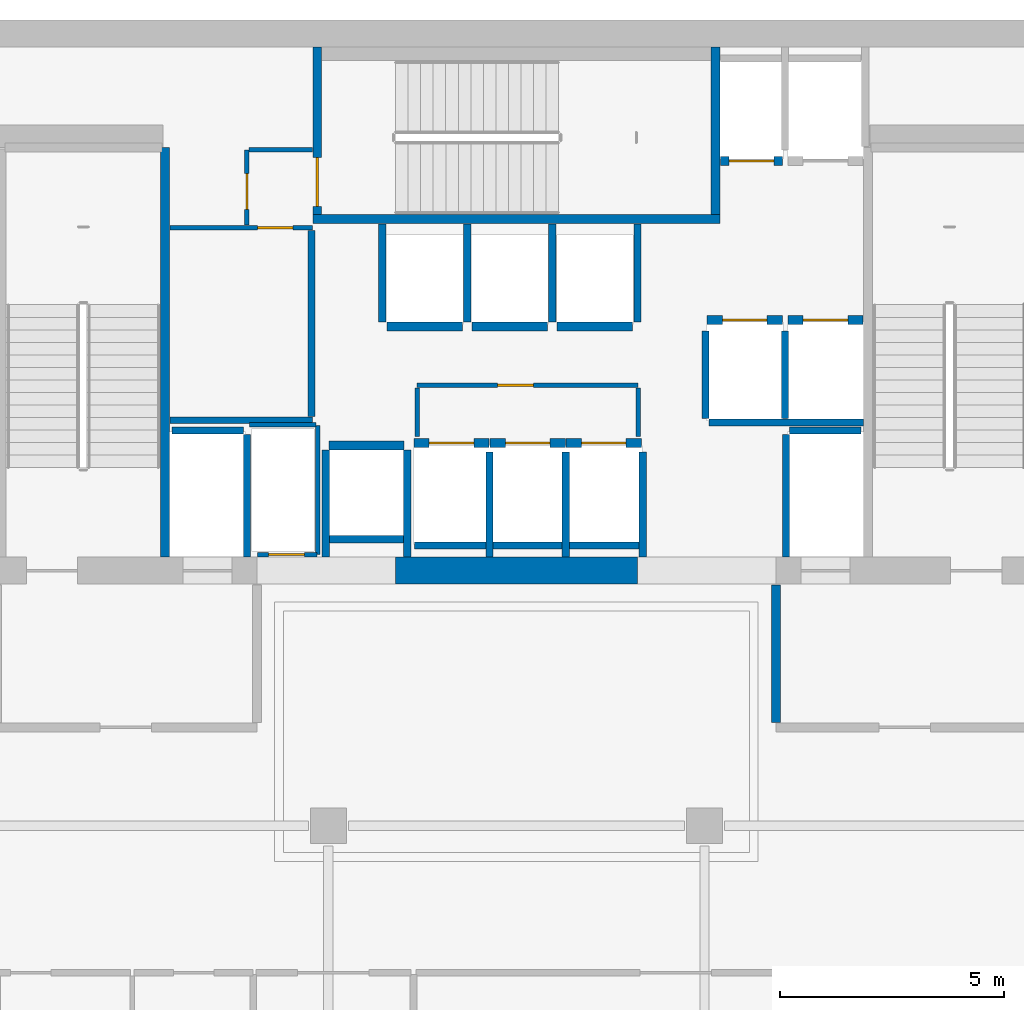
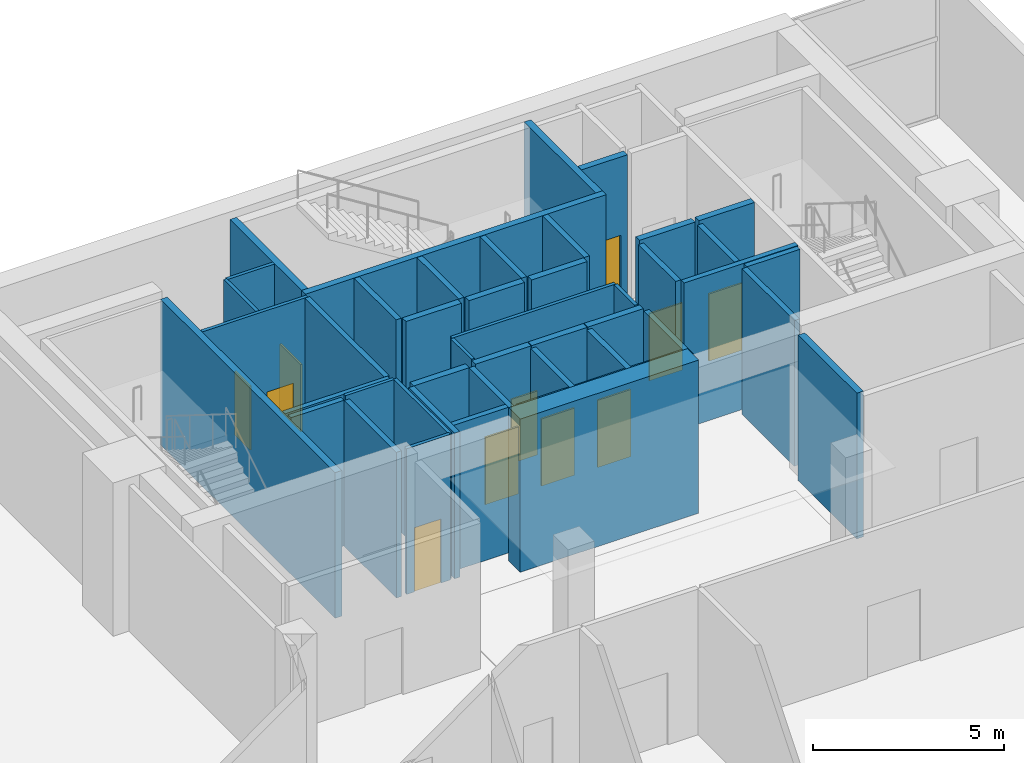
# One storey, part 23 of 28: 45 walls, 11 doors, 11 openings.
"""IFC4 building model written with IfcOpenShell, lengths in metres."""

from ifc_helpers import new_model, si_unit, direction, frame, frame_2d, origin, place, context, subcontext, project, spatial, rectangle, extrude, material, layer, layer_set, type_object, element, fill, save


model = new_model("IFC4")

# Units and contexts
model_context = context("Model", 3, precision=1e-05, world=origin(), true_north=direction((0.0, 1.0)))
body_context = subcontext(model_context, "Body", "Model", "MODEL_VIEW")
ifc_project = project(units=[si_unit("LENGTHUNIT", "METRE"), si_unit("AREAUNIT", "SQUARE_METRE"), si_unit("VOLUMEUNIT", "CUBIC_METRE"), si_unit("PLANEANGLEUNIT", "RADIAN"), si_unit("MASSUNIT", "GRAM", prefix="KILO")], contexts=[model_context])

# Site, building, storey
site_placement = place(None, origin())
site = spatial("IfcSite", under=ifc_project, at=site_placement, CompositionType="ELEMENT")
building_placement = place(site_placement, origin())
building = spatial("IfcBuilding", under=site, at=building_placement, Name="Maruvema Waterfront Hotel and Observation Tower", CompositionType="ELEMENT")
storey_placement = place(building_placement, frame((0.0, 0.0, 234.5)))
storey = spatial("IfcBuildingStorey", under=building, at=storey_placement, Name="L57", CompositionType="ELEMENT", Elevation=234.5)

# Walls
ifc_material_1 = material(Name="Twin-stud acoustic gypsum drywall", Category="gypsum")
ifc_layer_1 = layer(ifc_material_1, 0.14990234375, Name="Acoustic Corridor and Suite Demising Wall 150 mm")
ifc_layer_set_1 = layer_set([ifc_layer_1], Name="Twin-stud acoustic gypsum drywall")
wall_type_1 = type_object("IfcWallType", Name="Acoustic Corridor and Suite Demising Wall 150 mm", PredefinedType="PARTITIONING", material=ifc_layer_set_1)
wall_1_placement = place(storey_placement, frame((30.06005859375, 45.06005859375, 0.0), z_axis=(0.0, 0.0, 1.0), x_axis=(1.0, 0.0, 0.0)))
element("IfcWall", 1, at=wall_1_placement, inside=storey, type_object=wall_type_1, Name="L57 Freed B1 South Wall 013", PredefinedType="PARTITIONING", context=body_context, shape_type="SweptSolid", body=[
    extrude(rectangle(XDim=3.179931640625, YDim=0.14990234375, at=frame_2d((1.58984375, 0.0))), origin(), (0.0, 0.0, 1.0), 4.659912109375),
])
wall_2_placement = place(storey_placement, frame((33.219970703125, 45.139892578125, 0.0), z_axis=(0.0, 0.0, 1.0), x_axis=(0.0, 1.0, 0.0)))
element("IfcWall", 2, at=wall_2_placement, inside=storey, type_object=wall_type_1, Name="L57 Freed B1 East Wall 014", PredefinedType="PARTITIONING", context=body_context, shape_type="SweptSolid", body=[
    extrude(rectangle(XDim=4.16015625, YDim=0.14990234375, at=frame_2d((2.080078125, 0.0))), origin(), (0.0, 0.0, 1.0), 4.659912109375),
])
ifc_material_2 = material(Name="Precast concrete C45/55", Category="concrete")
ifc_layer_2 = layer(ifc_material_2, 0.199951171875, Name="Core Shaft and Stairwell Enclosure Wall 200 mm")
ifc_layer_set_2 = layer_set([ifc_layer_2], Name="Precast concrete C45/55")
wall_type_2 = type_object("IfcWallType", Name="Core Shaft and Stairwell Enclosure Wall 200 mm", PredefinedType="SOLIDWALL", material=ifc_layer_set_2)
wall_3_placement = place(storey_placement, frame((29.949951171875, 42.0, 0.0), z_axis=(0.0, 0.0, 1.0), x_axis=(0.0, 1.0, 0.0)))
element("IfcWall", 3, at=wall_3_placement, inside=storey, type_object=wall_type_2, Name="L57 Stairwell ST-01 East Shaft Wall", PredefinedType="SOLIDWALL", context=body_context, shape_type="SweptSolid", body=[
    extrude(rectangle(XDim=9.14990234375, YDim=0.199951171875, at=frame_2d((4.574951171875, 0.0))), origin(), (0.0, 0.0, 1.0), 4.659912109375),
])
wall_4_placement = place(storey_placement, frame((33.25, 49.550048828125, 0.0), z_axis=(0.0, 0.0, 1.0), x_axis=(1.0, 0.0, 0.0)))
element("IfcWall", 4, at=wall_4_placement, inside=storey, type_object=wall_type_2, Name="L57 Stairwell ST-02 Shaft Wall", PredefinedType="SOLIDWALL", context=body_context, shape_type="SweptSolid", body=[
    extrude(rectangle(XDim=9.10009765625, YDim=0.199951171875, at=frame_2d((4.550048828125, 0.0))), origin(), (0.0, 0.0, 1.0), 4.659912109375),
])
wall_5_placement = place(storey_placement, frame((42.25, 49.64990234375, 0.0), z_axis=(0.0, 0.0, 1.0), x_axis=(0.0, 1.0, 0.0)))
element("IfcWall", 5, at=wall_5_placement, inside=storey, type_object=wall_type_2, Name="L57 Stairwell ST-02 Shaft Wall", PredefinedType="SOLIDWALL", context=body_context, shape_type="SweptSolid", body=[
    extrude(rectangle(XDim=3.75, YDim=0.199951171875, at=frame_2d((1.875, 0.0))), origin(), (0.0, 0.0, 1.0), 4.659912109375),
])

# Wall, opening, door
wall_6_placement = place(storey_placement, frame((33.35009765625, 49.64990234375, 0.0), z_axis=(0.0, 0.0, 1.0), x_axis=(0.0, 1.0, 0.0)))
wall_6 = element("IfcWall", 6, at=wall_6_placement, inside=storey, type_object=wall_type_2, Name="L57 Stairwell ST-02 Shaft Wall", PredefinedType="SOLIDWALL", context=body_context, shape_type="SweptSolid", body=[
    extrude(rectangle(XDim=3.75, YDim=0.199951171875, at=frame_2d((1.875, 0.0))), origin(), (0.0, 0.0, 1.0), 4.659912109375),
])
opening_1_placement = place(wall_6_placement, frame((0.179931640625, 0.0, 0.0)))
opening_1 = element("IfcOpeningElement", 7, at=opening_1_placement, cuts=wall_6, Name="Opening SD-02", PredefinedType="OPENING", context=body_context, shape_type="SweptSolid", body=[
    extrude(rectangle(XDim=1.10009765625, YDim=2.14990234375, at=frame_2d((0.550048828125, 1.074951171875))), frame((0.0, 0.10986328125, 0.0), z_axis=(0.0, -1.0, 0.0), x_axis=(1.0, 0.0, 0.0)), (0.0, 0.0, 1.0), 0.219970703125),
])
ifc_material_3 = material(Name="Fire-rated galvanised steel leaf", Category="steel")
door_type_1 = type_object("IfcDoorType", Name="Central Exit Stair Fire Door 1100x2150 mm", OperationType="NOTDEFINED", PredefinedType="DOOR", material=ifc_material_3)
door_1_placement = place(opening_1_placement, frame((1.10009765625, 0.0, 0.0), z_axis=(0.0, 0.0, 1.0), x_axis=(-1.0, 0.0, 0.0)))
door_1 = element("IfcDoor", 8, at=door_1_placement, inside=storey, type_object=door_type_1, Name="L57 Exit Stair ST-02 Fire Door", OperationType="SINGLE_SWING_LEFT", OverallHeight=2.14990234375, OverallWidth=1.10009765625, PredefinedType="DOOR", context=body_context, shape_type="SweptSolid", body=[
    extrude(rectangle(XDim=1.10009765625, YDim=2.14990234375, at=frame_2d((0.550048828125, 1.074951171875))), frame((0.0, 0.02490234375, 0.0), z_axis=(0.0, -1.0, 0.0), x_axis=(1.0, 0.0, 0.0)), (0.0, 0.0, 1.0), 0.050048828125),
])
fill(opening_1, door_1)

wall_7_placement = place(storey_placement, frame((42.06005859375, 47.300048828125, 0.0), z_axis=(0.0, 0.0, 1.0), x_axis=(1.0, 0.0, 0.0)))
wall_7 = element("IfcWall", 9, at=wall_7_placement, inside=storey, type_object=wall_type_2, Name="L57 Lift LF-05 Hoistway Front Wall", PredefinedType="SOLIDWALL", context=body_context, shape_type="SweptSolid", body=[
    extrude(rectangle(XDim=1.679931640625, YDim=0.199951171875, at=frame_2d((0.83984375, 0.0))), origin(), (0.0, 0.0, 1.0), 4.659912109375),
])
opening_2_placement = place(wall_7_placement, frame((0.340087890625, 0.0, 0.0)))
opening_2 = element("IfcOpeningElement", 10, at=opening_2_placement, cuts=wall_7, Name="Opening LD-01", PredefinedType="OPENING", context=body_context, shape_type="SweptSolid", body=[
    extrude(rectangle(XDim=1.0, YDim=2.14990234375, at=frame_2d((0.5, 1.074951171875))), frame((0.0, 0.10986328125, 0.0), z_axis=(0.0, -1.0, 0.0), x_axis=(1.0, 0.0, 0.0)), (0.0, 0.0, 1.0), 0.219970703125),
])
ifc_material_4 = material(Name="Brushed stainless steel Grade 316", Category="steel")
door_type_2 = type_object("IfcDoorType", Name="Passenger Lift Sliding Landing Door 1000x2150 mm", OperationType="SLIDING_TO_LEFT", PredefinedType="DOOR", material=ifc_material_4)
door_2_placement = place(opening_2_placement, origin())
door_2 = element("IfcDoor", 11, at=door_2_placement, inside=storey, type_object=door_type_2, Name="L57 Lift LF-05 Sliding Landing Door", OperationType="SLIDING_TO_LEFT", OverallHeight=2.14990234375, OverallWidth=1.0, PredefinedType="DOOR", context=body_context, shape_type="SweptSolid", body=[
    extrude(rectangle(XDim=1.0, YDim=2.14990234375, at=frame_2d((0.5, 1.074951171875))), frame((0.0, 0.02490234375, 0.0), z_axis=(0.0, -1.0, 0.0), x_axis=(1.0, 0.0, 0.0)), (0.0, 0.0, 1.0), 0.050048828125),
])
fill(opening_2, door_2)

wall_8_placement = place(storey_placement, frame((43.860107421875, 47.300048828125, 0.0), z_axis=(0.0, 0.0, 1.0), x_axis=(1.0, 0.0, 0.0)))
wall_8 = element("IfcWall", 12, at=wall_8_placement, inside=storey, type_object=wall_type_2, Name="L57 Lift LF-06 Hoistway Front Wall", PredefinedType="SOLIDWALL", context=body_context, shape_type="SweptSolid", body=[
    extrude(rectangle(XDim=1.679931640625, YDim=0.199951171875, at=frame_2d((0.83984375, 0.0))), origin(), (0.0, 0.0, 1.0), 4.659912109375),
])
opening_3_placement = place(wall_8_placement, frame((0.340087890625, 0.0, 0.0)))
opening_3 = element("IfcOpeningElement", 13, at=opening_3_placement, cuts=wall_8, Name="Opening LD-01", PredefinedType="OPENING", context=body_context, shape_type="SweptSolid", body=[
    extrude(rectangle(XDim=1.0, YDim=2.14990234375, at=frame_2d((0.5, 1.074951171875))), frame((0.0, 0.10986328125, 0.0), z_axis=(0.0, -1.0, 0.0), x_axis=(1.0, 0.0, 0.0)), (0.0, 0.0, 1.0), 0.219970703125),
])
door_3_placement = place(opening_3_placement, origin())
door_3 = element("IfcDoor", 14, at=door_3_placement, inside=storey, type_object=door_type_2, Name="L57 Lift LF-06 Sliding Landing Door", OperationType="SLIDING_TO_LEFT", OverallHeight=2.14990234375, OverallWidth=1.0, PredefinedType="DOOR", context=body_context, shape_type="SweptSolid", body=[
    extrude(rectangle(XDim=1.0, YDim=2.14990234375, at=frame_2d((0.5, 1.074951171875))), frame((0.0, 0.02490234375, 0.0), z_axis=(0.0, -1.0, 0.0), x_axis=(1.0, 0.0, 0.0)), (0.0, 0.0, 1.0), 0.050048828125),
])
fill(opening_3, door_3)

wall_9_placement = place(storey_placement, frame((42.360107421875, 50.85009765625, 0.0), z_axis=(0.0, 0.0, 1.0), x_axis=(1.0, 0.0, 0.0)))
wall_9 = element("IfcWall", 15, at=wall_9_placement, inside=storey, type_object=wall_type_2, Name="L57 Lift LF-07 Hoistway Front Wall", PredefinedType="SOLIDWALL", context=body_context, shape_type="SweptSolid", body=[
    extrude(rectangle(XDim=1.3798828125, YDim=0.199951171875, at=frame_2d((0.68994140625, 0.0))), origin(), (0.0, 0.0, 1.0), 4.659912109375),
])
opening_4_placement = place(wall_9_placement, frame((0.18994140625, 0.0, 0.0)))
opening_4 = element("IfcOpeningElement", 16, at=opening_4_placement, cuts=wall_9, Name="Opening LD-01", PredefinedType="OPENING", context=body_context, shape_type="SweptSolid", body=[
    extrude(rectangle(XDim=1.0, YDim=2.14990234375, at=frame_2d((0.5, 1.074951171875))), frame((0.0, 0.10986328125, 0.0), z_axis=(0.0, -1.0, 0.0), x_axis=(1.0, 0.0, 0.0)), (0.0, 0.0, 1.0), 0.219970703125),
])
door_4_placement = place(opening_4_placement, frame((1.0, 0.0, 0.0), z_axis=(0.0, 0.0, 1.0), x_axis=(-1.0, 0.0, 0.0)))
door_4 = element("IfcDoor", 17, at=door_4_placement, inside=storey, type_object=door_type_2, Name="L57 Lift LF-07 Sliding Landing Door", OperationType="SLIDING_TO_LEFT", OverallHeight=2.14990234375, OverallWidth=1.0, PredefinedType="DOOR", context=body_context, shape_type="SweptSolid", body=[
    extrude(rectangle(XDim=1.0, YDim=2.14990234375, at=frame_2d((0.5, 1.074951171875))), frame((0.0, 0.02490234375, 0.0), z_axis=(0.0, -1.0, 0.0), x_axis=(1.0, 0.0, 0.0)), (0.0, 0.0, 1.0), 0.050048828125),
])
fill(opening_4, door_4)

wall_10_placement = place(storey_placement, frame((35.510009765625, 44.550048828125, 0.0), z_axis=(0.0, 0.0, 1.0), x_axis=(1.0, 0.0, 0.0)))
wall_10 = element("IfcWall", 18, at=wall_10_placement, inside=storey, type_object=wall_type_2, Name="L57 Lift LF-09 Hoistway Front Wall", PredefinedType="SOLIDWALL", context=body_context, shape_type="SweptSolid", body=[
    extrude(rectangle(XDim=1.679931640625, YDim=0.199951171875, at=frame_2d((0.83984375, 0.0))), origin(), (0.0, 0.0, 1.0), 4.659912109375),
])
opening_5_placement = place(wall_10_placement, frame((0.340087890625, 0.0, 0.0)))
opening_5 = element("IfcOpeningElement", 19, at=opening_5_placement, cuts=wall_10, Name="Opening LD-01", PredefinedType="OPENING", context=body_context, shape_type="SweptSolid", body=[
    extrude(rectangle(XDim=1.0, YDim=2.14990234375, at=frame_2d((0.5, 1.074951171875))), frame((0.0, 0.10986328125, 0.0), z_axis=(0.0, -1.0, 0.0), x_axis=(1.0, 0.0, 0.0)), (0.0, 0.0, 1.0), 0.219970703125),
])
door_5_placement = place(opening_5_placement, origin())
door_5 = element("IfcDoor", 20, at=door_5_placement, inside=storey, type_object=door_type_2, Name="L57 Lift LF-09 Sliding Landing Door", OperationType="SLIDING_TO_LEFT", OverallHeight=2.14990234375, OverallWidth=1.0, PredefinedType="DOOR", context=body_context, shape_type="SweptSolid", body=[
    extrude(rectangle(XDim=1.0, YDim=2.14990234375, at=frame_2d((0.5, 1.074951171875))), frame((0.0, 0.02490234375, 0.0), z_axis=(0.0, -1.0, 0.0), x_axis=(1.0, 0.0, 0.0)), (0.0, 0.0, 1.0), 0.050048828125),
])
fill(opening_5, door_5)

wall_11_placement = place(storey_placement, frame((37.2099609375, 44.550048828125, 0.0), z_axis=(0.0, 0.0, 1.0), x_axis=(1.0, 0.0, 0.0)))
wall_11 = element("IfcWall", 21, at=wall_11_placement, inside=storey, type_object=wall_type_2, Name="L57 Lift LF-10 Hoistway Front Wall", PredefinedType="SOLIDWALL", context=body_context, shape_type="SweptSolid", body=[
    extrude(rectangle(XDim=1.679931640625, YDim=0.199951171875, at=frame_2d((0.83984375, 0.0))), origin(), (0.0, 0.0, 1.0), 4.659912109375),
])
opening_6_placement = place(wall_11_placement, frame((0.340087890625, 0.0, 0.0)))
opening_6 = element("IfcOpeningElement", 22, at=opening_6_placement, cuts=wall_11, Name="Opening LD-01", PredefinedType="OPENING", context=body_context, shape_type="SweptSolid", body=[
    extrude(rectangle(XDim=1.0, YDim=2.14990234375, at=frame_2d((0.5, 1.074951171875))), frame((0.0, 0.10986328125, 0.0), z_axis=(0.0, -1.0, 0.0), x_axis=(1.0, 0.0, 0.0)), (0.0, 0.0, 1.0), 0.219970703125),
])
door_6_placement = place(opening_6_placement, origin())
door_6 = element("IfcDoor", 23, at=door_6_placement, inside=storey, type_object=door_type_2, Name="L57 Lift LF-10 Sliding Landing Door", OperationType="SLIDING_TO_LEFT", OverallHeight=2.14990234375, OverallWidth=1.0, PredefinedType="DOOR", context=body_context, shape_type="SweptSolid", body=[
    extrude(rectangle(XDim=1.0, YDim=2.14990234375, at=frame_2d((0.5, 1.074951171875))), frame((0.0, 0.02490234375, 0.0), z_axis=(0.0, -1.0, 0.0), x_axis=(1.0, 0.0, 0.0)), (0.0, 0.0, 1.0), 0.050048828125),
])
fill(opening_6, door_6)

wall_12_placement = place(storey_placement, frame((38.909912109375, 44.550048828125, 0.0), z_axis=(0.0, 0.0, 1.0), x_axis=(1.0, 0.0, 0.0)))
wall_12 = element("IfcWall", 24, at=wall_12_placement, inside=storey, type_object=wall_type_2, Name="L57 Lift LF-11 Hoistway Front Wall", PredefinedType="SOLIDWALL", context=body_context, shape_type="SweptSolid", body=[
    extrude(rectangle(XDim=1.68017578125, YDim=0.199951171875, at=frame_2d((0.840087890625, 0.0))), origin(), (0.0, 0.0, 1.0), 4.659912109375),
])
opening_7_placement = place(wall_12_placement, frame((0.340087890625, 0.0, 0.0)))
opening_7 = element("IfcOpeningElement", 25, at=opening_7_placement, cuts=wall_12, Name="Opening LD-01", PredefinedType="OPENING", context=body_context, shape_type="SweptSolid", body=[
    extrude(rectangle(XDim=1.0, YDim=2.14990234375, at=frame_2d((0.5, 1.074951171875))), frame((0.0, 0.10986328125, 0.0), z_axis=(0.0, -1.0, 0.0), x_axis=(1.0, 0.0, 0.0)), (0.0, 0.0, 1.0), 0.219970703125),
])
door_7_placement = place(opening_7_placement, origin())
door_7 = element("IfcDoor", 26, at=door_7_placement, inside=storey, type_object=door_type_2, Name="L57 Lift LF-11 Sliding Landing Door", OperationType="SLIDING_TO_LEFT", OverallHeight=2.14990234375, OverallWidth=1.0, PredefinedType="DOOR", context=body_context, shape_type="SweptSolid", body=[
    extrude(rectangle(XDim=1.0, YDim=2.14990234375, at=frame_2d((0.5, 1.074951171875))), frame((0.0, 0.02490234375, 0.0), z_axis=(0.0, -1.0, 0.0), x_axis=(1.0, 0.0, 0.0)), (0.0, 0.0, 1.0), 0.050048828125),
])
fill(opening_7, door_7)

# Walls
wall_13_placement = place(storey_placement, frame((34.909912109375, 47.14990234375, 0.0), z_axis=(0.0, 0.0, 1.0), x_axis=(1.0, 0.0, 0.0)))
element("IfcWall", 27, at=wall_13_placement, inside=storey, type_object=wall_type_2, Name="L57 Lift LF-12 Hoistway Front Wall", PredefinedType="SOLIDWALL", context=body_context, shape_type="SweptSolid", body=[
    extrude(rectangle(XDim=1.68017578125, YDim=0.199951171875, at=frame_2d((0.840087890625, 0.0))), origin(), (0.0, 0.0, 1.0), 4.659912109375),
])
for number, where, z_axis, x_axis, name in (
    (28, (36.81005859375, 47.14990234375, 0.0), (0.0, 0.0, 1.0), (1.0, 0.0, 0.0), "L57 Lift LF-13 Hoistway Front Wall"),
    (29, (38.7099609375, 47.14990234375, 0.0), (0.0, 0.0, 1.0), (1.0, 0.0, 0.0), "L57 Lift LF-14 Hoistway Front Wall"),
    (30, (33.610107421875, 44.5, 0.0), (0.0, 0.0, 1.0), (1.0, 0.0, 0.0), "L57 Lift LF-15 Hoistway Front Wall"),
):
    element("IfcWall", number, at=place(storey_placement, frame(where, z_axis=z_axis, x_axis=x_axis)), inside=storey, type_object=wall_type_2, Name=name, PredefinedType="SOLIDWALL", context=body_context, shape_type="SweptSolid", body=[
        extrude(rectangle(XDim=1.679931640625, YDim=0.199951171875, at=frame_2d((0.83984375, 0.0))), origin(), (0.0, 0.0, 1.0), 4.659912109375),
    ])
ifc_material_5 = material(Name="Concrete C60/75", Category="concrete")
ifc_layer_3 = layer(ifc_material_5, 0.60009765625, Name="Core Shear Wall 600 mm")
ifc_layer_set_3 = layer_set([ifc_layer_3], Name="Concrete C60/75")
wall_type_3 = type_object("IfcWallType", Name="Core Shear Wall 600 mm", PredefinedType="SHEAR", material=ifc_layer_set_3)
wall_14_placement = place(storey_placement, frame((35.10009765625, 41.699951171875, 0.0), z_axis=(0.0, 0.0, 1.0), x_axis=(1.0, 0.0, 0.0)))
element("IfcWall", 31, at=wall_14_placement, inside=storey, type_object=wall_type_3, Name="L57 South-Central Core Shear Wall", PredefinedType="SHEAR", context=body_context, shape_type="SweptSolid", body=[
    extrude(rectangle(XDim=5.39990234375, YDim=0.60009765625, at=frame_2d((2.699951171875, 0.0))), origin(), (0.0, 0.0, 1.0), 4.89990234375),
])

# Wall, opening, door
ifc_material_6 = material(Name="Moisture-resistant cement-board drywall", Category="gypsum")
ifc_layer_4 = layer(ifc_material_6, 0.10009765625, Name="En-Suite Moisture-Resistant Partition 100 mm")
ifc_layer_set_4 = layer_set([ifc_layer_4], Name="Moisture-resistant cement-board drywall")
wall_type_4 = type_object("IfcWallType", Name="En-Suite Moisture-Resistant Partition 100 mm", PredefinedType="PARTITIONING", material=ifc_layer_set_4)
wall_15_placement = place(storey_placement, frame((32.02001953125, 42.06005859375, 0.0), z_axis=(0.0, 0.0, 1.0), x_axis=(1.0, 0.0, 0.0)))
wall_15 = element("IfcWall", 32, at=wall_15_placement, inside=storey, type_object=wall_type_4, Name="L57 Telecom Riser South Wall 007", PredefinedType="PARTITIONING", context=body_context, shape_type="SweptSolid", body=[
    extrude(rectangle(XDim=1.320068359375, YDim=0.10009765625, at=frame_2d((0.66015625, 0.0))), origin(), (0.0, 0.0, 1.0), 4.659912109375),
])
opening_8_placement = place(wall_15_placement, frame((0.239990234375, 0.0, 0.0)))
opening_8 = element("IfcOpeningElement", 33, at=opening_8_placement, cuts=wall_15, Name="Opening DR-080", PredefinedType="OPENING", context=body_context, shape_type="SweptSolid", body=[
    extrude(rectangle(XDim=0.800048828125, YDim=2.050048828125, at=frame_2d((0.39990234375, 1.02490234375))), frame((0.0, 0.06005859375, 0.0), z_axis=(0.0, -1.0, 0.0), x_axis=(1.0, 0.0, 0.0)), (0.0, 0.0, 1.0), 0.1201171875),
])
ifc_material_7 = material(Name="Powder-coated steel access leaf", Category="steel")
door_type_3 = type_object("IfcDoorType", Name="Riser and Service Cupboard Door 800x2050 mm", OperationType="NOTDEFINED", PredefinedType="DOOR", material=ifc_material_7)
door_8_placement = place(opening_8_placement, frame((0.800048828125, 0.0, 0.0), z_axis=(0.0, 0.0, 1.0), x_axis=(-1.0, 0.0, 0.0)))
door_8 = element("IfcDoor", 34, at=door_8_placement, inside=storey, type_object=door_type_3, Name="L57 Telecom Riser Door", OperationType="SINGLE_SWING_LEFT", OverallHeight=2.050048828125, OverallWidth=0.800048828125, PredefinedType="DOOR", context=body_context, shape_type="SweptSolid", body=[
    extrude(rectangle(XDim=0.800048828125, YDim=2.050048828125, at=frame_2d((0.39990234375, 1.02490234375))), frame((0.0, 0.02490234375, 0.0), z_axis=(0.0, -1.0, 0.0), x_axis=(1.0, 0.0, 0.0)), (0.0, 0.0, 1.0), 0.050048828125),
])
fill(opening_8, door_8)

# Walls
wall_16_placement = place(storey_placement, frame((31.840087890625, 44.9599609375, 0.0), z_axis=(0.0, 0.0, 1.0), x_axis=(1.0, 0.0, 0.0)))
element("IfcWall", 35, at=wall_16_placement, inside=storey, type_object=wall_type_4, Name="L57 Telecom Riser North Wall 008", PredefinedType="PARTITIONING", context=body_context, shape_type="SweptSolid", body=[
    extrude(rectangle(XDim=1.47998046875, YDim=0.10009765625, at=frame_2d((0.739990234375, 0.0))), origin(), (0.0, 0.0, 1.0), 4.659912109375),
])
wall_17_placement = place(storey_placement, frame((33.360107421875, 42.06005859375, 0.0), z_axis=(0.0, 0.0, 1.0), x_axis=(0.0, 1.0, 0.0)))
element("IfcWall", 36, at=wall_17_placement, inside=storey, type_object=wall_type_4, Name="L57 Telecom Riser East Wall 009", PredefinedType="PARTITIONING", context=body_context, shape_type="SweptSolid", body=[
    extrude(rectangle(XDim=2.8798828125, YDim=0.10009765625, at=frame_2d((1.43994140625, 0.0))), origin(), (0.0, 0.0, 1.0), 4.659912109375),
])

# Wall, opening, door
wall_18_placement = place(storey_placement, frame((35.580078125, 45.840087890625, 0.0), z_axis=(0.0, 0.0, 1.0), x_axis=(1.0, 0.0, 0.0)))
wall_18 = element("IfcWall", 37, at=wall_18_placement, inside=storey, type_object=wall_type_4, Name="L57 Core Closet K0 North 010", PredefinedType="PARTITIONING", context=body_context, shape_type="SweptSolid", body=[
    extrude(rectangle(XDim=4.93994140625, YDim=0.10009765625, at=frame_2d((2.469970703125, 0.0))), origin(), (0.0, 0.0, 1.0), 4.659912109375),
])
opening_9_placement = place(wall_18_placement, frame((1.800048828125, 0.0, 0.0)))
opening_9 = element("IfcOpeningElement", 38, at=opening_9_placement, cuts=wall_18, Name="Opening DR-080", PredefinedType="OPENING", context=body_context, shape_type="SweptSolid", body=[
    extrude(rectangle(XDim=0.800048828125, YDim=2.050048828125, at=frame_2d((0.39990234375, 1.02490234375))), frame((0.0, 0.06005859375, 0.0), z_axis=(0.0, -1.0, 0.0), x_axis=(1.0, 0.0, 0.0)), (0.0, 0.0, 1.0), 0.1201171875),
])
door_9_placement = place(opening_9_placement, origin())
door_9 = element("IfcDoor", 39, at=door_9_placement, inside=storey, type_object=door_type_3, Name="L57 Core Electrical Closet Door", OperationType="SINGLE_SWING_RIGHT", OverallHeight=2.050048828125, OverallWidth=0.800048828125, PredefinedType="DOOR", context=body_context, shape_type="SweptSolid", body=[
    extrude(rectangle(XDim=0.800048828125, YDim=2.050048828125, at=frame_2d((0.39990234375, 1.02490234375))), frame((0.0, 0.02490234375, 0.0), z_axis=(0.0, -1.0, 0.0), x_axis=(1.0, 0.0, 0.0)), (0.0, 0.0, 1.0), 0.050048828125),
])
fill(opening_9, door_9)

# Walls
for number, where, z_axis, x_axis, name in (
    (40, (35.580078125, 44.699951171875, 0.0), (0.0, 0.0, 1.0), (0.0, 1.0, 0.0), "L57 Core Closet K0 West 011"),
    (41, (40.52001953125, 44.699951171875, 0.0), (0.0, 0.0, 1.0), (0.0, 1.0, 0.0), "L57 Core Closet K0 East 012"),
):
    element("IfcWall", number, at=place(storey_placement, frame(where, z_axis=z_axis, x_axis=x_axis)), inside=storey, type_object=wall_type_4, Name=name, PredefinedType="PARTITIONING", context=body_context, shape_type="SweptSolid", body=[
        extrude(rectangle(XDim=1.080078125, YDim=0.10009765625, at=frame_2d((0.5400390625, 0.0))), origin(), (0.0, 0.0, 1.0), 4.659912109375),
    ])

# Wall, opening, door
wall_19_placement = place(storey_placement, frame((30.06005859375, 49.360107421875, 0.0), z_axis=(0.0, 0.0, 1.0), x_axis=(1.0, 0.0, 0.0)))
wall_19 = element("IfcWall", 42, at=wall_19_placement, inside=storey, type_object=wall_type_4, Name="L57 Freed B1 Mid Wall 015", PredefinedType="PARTITIONING", context=body_context, shape_type="SweptSolid", body=[
    extrude(rectangle(XDim=3.179931640625, YDim=0.10009765625, at=frame_2d((1.58984375, 0.0))), origin(), (0.0, 0.0, 1.0), 4.659912109375),
])
opening_10_placement = place(wall_19_placement, frame((1.949951171875, 0.0, 0.0)))
opening_10 = element("IfcOpeningElement", 43, at=opening_10_placement, cuts=wall_19, Name="Opening DR-080", PredefinedType="OPENING", context=body_context, shape_type="SweptSolid", body=[
    extrude(rectangle(XDim=0.800048828125, YDim=2.050048828125, at=frame_2d((0.39990234375, 1.02490234375))), frame((0.0, 0.06005859375, 0.0), z_axis=(0.0, -1.0, 0.0), x_axis=(1.0, 0.0, 0.0)), (0.0, 0.0, 1.0), 0.1201171875),
])
door_10_placement = place(opening_10_placement, origin())
door_10 = element("IfcDoor", 44, at=door_10_placement, inside=storey, type_object=door_type_3, Name="L57 Housekeeping and Linen Room Door", OperationType="SINGLE_SWING_LEFT", OverallHeight=2.050048828125, OverallWidth=0.800048828125, PredefinedType="DOOR", context=body_context, shape_type="SweptSolid", body=[
    extrude(rectangle(XDim=0.800048828125, YDim=2.050048828125, at=frame_2d((0.39990234375, 1.02490234375))), frame((0.0, 0.02490234375, 0.0), z_axis=(0.0, -1.0, 0.0), x_axis=(1.0, 0.0, 0.0)), (0.0, 0.0, 1.0), 0.050048828125),
])
fill(opening_10, door_10)

wall_20_placement = place(storey_placement, frame((31.780029296875, 49.419921875, 0.0), z_axis=(0.0, 0.0, 1.0), x_axis=(0.0, 1.0, 0.0)))
wall_20 = element("IfcWall", 45, at=wall_20_placement, inside=storey, type_object=wall_type_4, Name="L57 Freed B1 NW East Wall 016", PredefinedType="PARTITIONING", context=body_context, shape_type="SweptSolid", body=[
    extrude(rectangle(XDim=1.68017578125, YDim=0.10009765625, at=frame_2d((0.840087890625, 0.0))), origin(), (0.0, 0.0, 1.0), 4.659912109375),
])
opening_11_placement = place(wall_20_placement, frame((0.35009765625, 0.0, 0.0)))
opening_11 = element("IfcOpeningElement", 46, at=opening_11_placement, cuts=wall_20, Name="Opening DR-080", PredefinedType="OPENING", context=body_context, shape_type="SweptSolid", body=[
    extrude(rectangle(XDim=0.800048828125, YDim=2.050048828125, at=frame_2d((0.39990234375, 1.02490234375))), frame((0.0, 0.06005859375, 0.0), z_axis=(0.0, -1.0, 0.0), x_axis=(1.0, 0.0, 0.0)), (0.0, 0.0, 1.0), 0.1201171875),
])
door_11_placement = place(opening_11_placement, origin())
door_11 = element("IfcDoor", 47, at=door_11_placement, inside=storey, type_object=door_type_3, Name="L57 Guest Floor Pantry Door", OperationType="SINGLE_SWING_RIGHT", OverallHeight=2.050048828125, OverallWidth=0.800048828125, PredefinedType="DOOR", context=body_context, shape_type="SweptSolid", body=[
    extrude(rectangle(XDim=0.800048828125, YDim=2.050048828125, at=frame_2d((0.39990234375, 1.02490234375))), frame((0.0, 0.02490234375, 0.0), z_axis=(0.0, -1.0, 0.0), x_axis=(1.0, 0.0, 0.0)), (0.0, 0.0, 1.0), 0.050048828125),
])
fill(opening_11, door_11)

# Walls
wall_21_placement = place(storey_placement, frame((31.820068359375, 51.10009765625, 0.0), z_axis=(0.0, 0.0, 1.0), x_axis=(1.0, 0.0, 0.0)))
element("IfcWall", 48, at=wall_21_placement, inside=storey, type_object=wall_type_4, Name="L57 Freed B1 Vestibule North Wall 017", PredefinedType="PARTITIONING", context=body_context, shape_type="SweptSolid", body=[
    extrude(rectangle(XDim=1.419921875, YDim=0.10009765625, at=frame_2d((0.7099609375, 0.0))), origin(), (0.0, 0.0, 1.0), 4.659912109375),
])
ifc_material_8 = material(Name="Autoclaved cellular concrete blockwork", Category="masonry")
ifc_layer_5 = layer(ifc_material_8, 0.199951171875, Name="Fire Compartment Masonry Wall 200 mm")
ifc_layer_set_5 = layer_set([ifc_layer_5], Name="Autoclaved cellular concrete blockwork")
wall_type_5 = type_object("IfcWallType", Name="Fire Compartment Masonry Wall 200 mm", PredefinedType="PARTITIONING", material=ifc_layer_set_5)
wall_22_placement = place(storey_placement, frame((43.60009765625, 38.31005859375, 0.0), z_axis=(0.0, 0.0, 1.0), x_axis=(0.0, 1.0, 0.0)))
element("IfcWall", 49, at=wall_22_placement, inside=storey, type_object=wall_type_5, Name="L57 FFL East West Wall 005", PredefinedType="PARTITIONING", context=body_context, shape_type="SweptSolid", body=[
    extrude(rectangle(XDim=3.06982421875, YDim=0.199951171875, at=frame_2d((1.534912109375, 0.0))), origin(), (0.0, 0.0, 1.0), 4.659912109375),
])
ifc_material_9 = material(Name="Precast concrete C45/55", Category="concrete")
ifc_layer_6 = layer(ifc_material_9, 0.159912109375, Name="Lift Hoistway Divider Wall 160 mm")
ifc_layer_set_6 = layer_set([ifc_layer_6], Name="Precast concrete C45/55")
wall_type_6 = type_object("IfcWallType", Name="Lift Hoistway Divider Wall 160 mm", PredefinedType="SOLIDWALL", material=ifc_layer_set_6)
wall_23_placement = place(storey_placement, frame((30.10009765625, 44.830078125, 0.0), z_axis=(0.0, 0.0, 1.0), x_axis=(1.0, 0.0, 0.0)))
element("IfcWall", 50, at=wall_23_placement, inside=storey, type_object=wall_type_6, Name="L57 Lift FL-01 Rear Hoistway Wall", PredefinedType="SOLIDWALL", context=body_context, shape_type="SweptSolid", body=[
    extrude(rectangle(XDim=1.599853515625, YDim=0.159912109375, at=frame_2d((0.7998046875, 0.0))), origin(), (0.0, 0.0, 1.0), 4.659912109375),
])
wall_24_placement = place(storey_placement, frame((31.780029296875, 42.0, 0.0), z_axis=(0.0, 0.0, 1.0), x_axis=(0.0, 1.0, 0.0)))
element("IfcWall", 51, at=wall_24_placement, inside=storey, type_object=wall_type_6, Name="L57 Lift FL-01 Inner Hoistway Wall", PredefinedType="SOLIDWALL", context=body_context, shape_type="SweptSolid", body=[
    extrude(rectangle(XDim=2.739990234375, YDim=0.159912109375, at=frame_2d((1.3701171875, 0.0))), origin(), (0.0, 0.0, 1.0), 4.659912109375),
])
wall_25_placement = place(storey_placement, frame((43.89990234375, 44.830078125, 0.0), z_axis=(0.0, 0.0, 1.0), x_axis=(1.0, 0.0, 0.0)))
element("IfcWall", 52, at=wall_25_placement, inside=storey, type_object=wall_type_6, Name="L57 Lift FL-02 Rear Hoistway Wall", PredefinedType="SOLIDWALL", context=body_context, shape_type="SweptSolid", body=[
    extrude(rectangle(XDim=1.60009765625, YDim=0.159912109375, at=frame_2d((0.800048828125, 0.0))), origin(), (0.0, 0.0, 1.0), 4.659912109375),
])
wall_26_placement = place(storey_placement, frame((43.820068359375, 42.0, 0.0), z_axis=(0.0, 0.0, 1.0), x_axis=(0.0, 1.0, 0.0)))
element("IfcWall", 53, at=wall_26_placement, inside=storey, type_object=wall_type_6, Name="L57 Lift FL-02 Inner Hoistway Wall", PredefinedType="SOLIDWALL", context=body_context, shape_type="SweptSolid", body=[
    extrude(rectangle(XDim=2.739990234375, YDim=0.159912109375, at=frame_2d((1.3701171875, 0.0))), origin(), (0.0, 0.0, 1.0), 4.659912109375),
])
for number, where, z_axis, x_axis, name in (
    (54, (42.02001953125, 45.10009765625, 0.0), (0.0, 0.0, 1.0), (0.0, 1.0, 0.0), "L57 Hoistway Divider Wall"),
    (55, (43.800048828125, 45.10009765625, 0.0), (0.0, 0.0, 1.0), (0.0, 1.0, 0.0), "L57 Hoistway Divider Wall"),
):
    element("IfcWall", number, at=place(storey_placement, frame(where, z_axis=z_axis, x_axis=x_axis)), inside=storey, type_object=wall_type_6, Name=name, PredefinedType="SOLIDWALL", context=body_context, shape_type="SweptSolid", body=[
        extrude(rectangle(XDim=1.949951171875, YDim=0.159912109375, at=frame_2d((0.97509765625, 0.0))), origin(), (0.0, 0.0, 1.0), 4.659912109375),
    ])
wall_27_placement = place(storey_placement, frame((42.10009765625, 45.010009765625, 0.0), z_axis=(0.0, 0.0, 1.0), x_axis=(1.0, 0.0, 0.0)))
element("IfcWall", 56, at=wall_27_placement, inside=storey, type_object=wall_type_6, Name="L57 Hoistway Divider Wall", PredefinedType="SOLIDWALL", context=body_context, shape_type="SweptSolid", body=[
    extrude(rectangle(XDim=3.449951171875, YDim=0.159912109375, at=frame_2d((1.72509765625, 0.0))), origin(), (0.0, 0.0, 1.0), 4.659912109375),
])
for number, where, z_axis, x_axis, name in (
    (57, (37.199951171875, 42.0, 0.0), (0.0, 0.0, 1.0), (0.0, 1.0, 0.0), "L57 Hoistway Divider Wall"),
    (58, (38.89990234375, 42.0, 0.0), (0.0, 0.0, 1.0), (0.0, 1.0, 0.0), "L57 Hoistway Divider Wall"),
    (59, (40.6201171875, 42.0, 0.0), (0.0, 0.0, 1.0), (0.0, 1.0, 0.0), "L57 Hoistway Divider Wall"),
):
    element("IfcWall", number, at=place(storey_placement, frame(where, z_axis=z_axis, x_axis=x_axis)), inside=storey, type_object=wall_type_6, Name=name, PredefinedType="SOLIDWALL", context=body_context, shape_type="SweptSolid", body=[
        extrude(rectangle(XDim=2.35009765625, YDim=0.159912109375, at=frame_2d((1.175048828125, 0.0))), origin(), (0.0, 0.0, 1.0), 4.659912109375),
    ])
wall_28_placement = place(storey_placement, frame((35.52001953125, 42.260009765625, 0.0), z_axis=(0.0, 0.0, 1.0), x_axis=(1.0, 0.0, 0.0)))
element("IfcWall", 60, at=wall_28_placement, inside=storey, type_object=wall_type_6, Name="L57 Hoistway Divider Wall", PredefinedType="SOLIDWALL", context=body_context, shape_type="SweptSolid", body=[
    extrude(rectangle(XDim=5.02001953125, YDim=0.159912109375, at=frame_2d((2.510009765625, 0.0))), origin(), (0.0, 0.0, 1.0), 4.659912109375),
])
for number, where, z_axis, x_axis, name in (
    (61, (34.800048828125, 47.25, 0.0), (0.0, 0.0, 1.0), (0.0, 1.0, 0.0), "L57 Hoistway Divider Wall"),
    (62, (36.699951171875, 47.25, 0.0), (0.0, 0.0, 1.0), (0.0, 1.0, 0.0), "L57 Hoistway Divider Wall"),
    (63, (38.60009765625, 47.25, 0.0), (0.0, 0.0, 1.0), (0.0, 1.0, 0.0), "L57 Hoistway Divider Wall"),
    (64, (40.5, 47.25, 0.0), (0.0, 0.0, 1.0), (0.0, 1.0, 0.0), "L57 Hoistway Divider Wall"),
):
    element("IfcWall", number, at=place(storey_placement, frame(where, z_axis=z_axis, x_axis=x_axis)), inside=storey, type_object=wall_type_6, Name=name, PredefinedType="SOLIDWALL", context=body_context, shape_type="SweptSolid", body=[
        extrude(rectangle(XDim=2.18994140625, YDim=0.159912109375, at=frame_2d((1.094970703125, 0.0))), origin(), (0.0, 0.0, 1.0), 4.659912109375),
    ])
for number, where, z_axis, x_axis, name in (
    (65, (33.5400390625, 42.0, 0.0), (0.0, 0.0, 1.0), (0.0, 1.0, 0.0), "L57 Hoistway Divider Wall"),
    (66, (35.360107421875, 42.0, 0.0), (0.0, 0.0, 1.0), (0.0, 1.0, 0.0), "L57 Hoistway Divider Wall"),
):
    element("IfcWall", number, at=place(storey_placement, frame(where, z_axis=z_axis, x_axis=x_axis)), inside=storey, type_object=wall_type_6, Name=name, PredefinedType="SOLIDWALL", context=body_context, shape_type="SweptSolid", body=[
        extrude(rectangle(XDim=2.39990234375, YDim=0.159912109375, at=frame_2d((1.199951171875, 0.0))), origin(), (0.0, 0.0, 1.0), 4.659912109375),
    ])
wall_29_placement = place(storey_placement, frame((33.6201171875, 42.39990234375, 0.0), z_axis=(0.0, 0.0, 1.0), x_axis=(1.0, 0.0, 0.0)))
element("IfcWall", 67, at=wall_29_placement, inside=storey, type_object=wall_type_6, Name="L57 Hoistway Divider Wall", PredefinedType="SOLIDWALL", context=body_context, shape_type="SweptSolid", body=[
    extrude(rectangle(XDim=1.659912109375, YDim=0.159912109375, at=frame_2d((0.830078125, 0.0))), origin(), (0.0, 0.0, 1.0), 4.659912109375),
])

save(model, "model.ifc")
